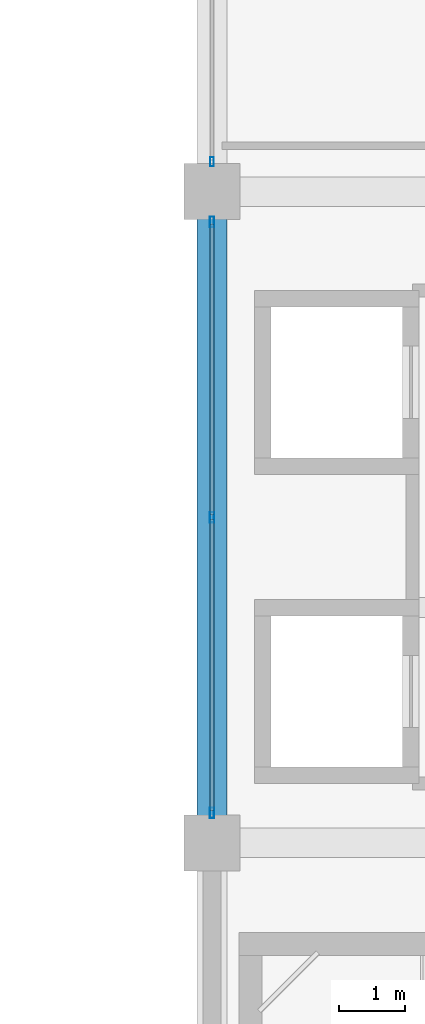
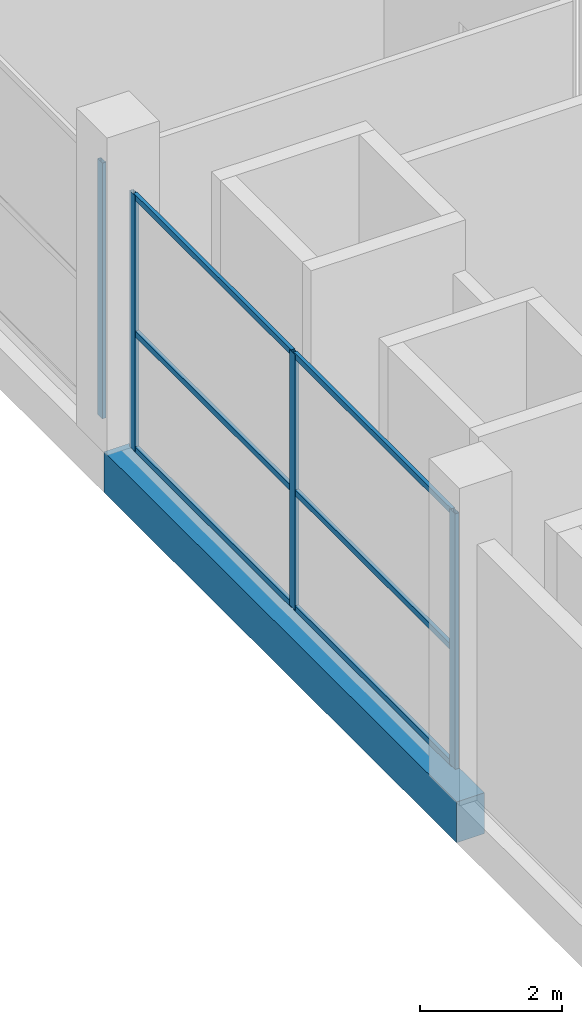
# One storey, part 4 of 72: 10 members, 1 beam, 2 elements without a shape of their own.
"""IFC4 building model written with IfcOpenShell, lengths in metres."""

from ifc_helpers import new_model, si_unit, direction, frame, origin, origin_2d, place, context, subcontext, project, spatial, rectangle, hollow_rectangle, extrude, material, layer, layer_set, material_profile, profile_set, type_object, element, aggregate, save


model = new_model("IFC4")

# Units and contexts
model_context = context("Model", 3, precision=1e-05, world=origin(), true_north=direction((0.0, 1.0)))
body_context = subcontext(model_context, "Body", "Model", "MODEL_VIEW")
ifc_project = project(units=[si_unit("LENGTHUNIT", "METRE"), si_unit("AREAUNIT", "SQUARE_METRE"), si_unit("VOLUMEUNIT", "CUBIC_METRE"), si_unit("PLANEANGLEUNIT", "RADIAN"), si_unit("MASSUNIT", "GRAM", prefix="KILO")], contexts=[model_context])

# Site, building, storey
site_placement = place(None, origin())
site = spatial("IfcSite", under=ifc_project, at=site_placement, CompositionType="ELEMENT")
building_placement = place(site_placement, origin())
building = spatial("IfcBuilding", under=site, at=building_placement, Name="Sillaruma Civic Art Gallery", CompositionType="ELEMENT")
storey_placement = place(building_placement, frame((0.0, 0.0, 10.8798828125)))
storey = spatial("IfcBuildingStorey", under=building, at=storey_placement, Name="L02", CompositionType="ELEMENT", Elevation=10.8798828125)

# Beam
ifc_material_1 = material(Name="Concrete H35 (35 MPa)", Category="concrete")
ifc_material_profile_1 = material_profile(ifc_material_1, rectangle(XDim=0.449951171875, YDim=0.699951171875, at=origin_2d()), Name="RCB450x700")
ifc_profile_set_1 = profile_set([ifc_material_profile_1], Name="Concrete H35 (35 MPa)")
beam_type = type_object("IfcBeamType", Name="BM-SPANDREL-RCB450x700", PredefinedType="SPANDREL", material=ifc_profile_set_1)
beam_placement = place(storey_placement, frame((62.0, 39.60009765625, -0.60986328125), z_axis=(0.0, 1.0, 0.0), x_axis=(-1.0, 0.0, 0.0)))
element("IfcBeam", 1, at=beam_placement, inside=storey, type_object=beam_type, Name="Beam BS-03 (L01:F:5-6)", PredefinedType="SPANDREL", context=body_context, shape_type="SweptSolid", body=[
    extrude(rectangle(XDim=0.449951171875, YDim=0.699951171875, at=origin_2d()), origin(), (0.0, 0.0, 1.0), 9.89990234375),
])

# Curtain wall, member
ifc_material_2 = material(Name="Thermally Broken Extruded Aluminium 6063-T6", Category="aluminium")
ifc_layer_1 = layer(ifc_material_2, 0.139892578125, Name="Thermally Broken Extruded Aluminium 6063-T6")
ifc_layer_set_1 = layer_set([ifc_layer_1], Name="Thermally Broken Extruded Aluminium 6063-T6")
curtain_wall_type_1 = type_object("IfcCurtainWallType", Name="CW-UNI-15", PredefinedType="NOTDEFINED", material=ifc_layer_set_1)
curtain_wall_1_placement = place(storey_placement, origin())
curtain_wall_1 = element("IfcCurtainWall", 2, at=curtain_wall_1_placement, inside=storey, type_object=curtain_wall_type_1, Name="Unitised Curtain Wall CW-15 (CW-L02-SPW-4)", PredefinedType="NOTDEFINED")
ifc_material_profile_2 = material_profile(ifc_material_2, hollow_rectangle(XDim=0.06005859375, YDim=0.139892578125, WallThickness=0.00341796875, at=origin_2d()), Name="CWM60x140")
ifc_profile_set_2 = profile_set([ifc_material_profile_2], Name="Thermally Broken Extruded Aluminium 6063-T6")
member_type_1 = type_object("IfcMemberType", Name="MEM-MUL-CWM60x140", PredefinedType="MULLION", material=ifc_profile_set_2)
member_1_placement = place(storey_placement, frame((62.0, 49.955078125, 0.0), z_axis=(0.0, 0.0, 1.0), x_axis=(-1.0, 0.0, 0.0)))
member_1 = element("IfcMember", 3, at=member_1_placement, type_object=member_type_1, Name="CW-15 mullion 1", PredefinedType="MULLION", context=body_context, shape_type="SweptSolid", body=[
    extrude(hollow_rectangle(XDim=0.06005859375, YDim=0.139892578125, WallThickness=0.00341796875, at=origin_2d()), origin(), (0.0, 0.0, 1.0), 4.380126953125),
])
aggregate(curtain_wall_1, [member_1])

# Curtain wall, members
ifc_layer_2 = layer(ifc_material_2, 0.159912109375, Name="Thermally Broken Extruded Aluminium 6063-T6")
ifc_layer_set_2 = layer_set([ifc_layer_2], Name="Thermally Broken Extruded Aluminium 6063-T6")
curtain_wall_type_2 = type_object("IfcCurtainWallType", Name="CW-UNI-14", PredefinedType="NOTDEFINED", material=ifc_layer_set_2)
curtain_wall_2_placement = place(storey_placement, origin())
curtain_wall_2 = element("IfcCurtainWall", 4, at=curtain_wall_2_placement, inside=storey, type_object=curtain_wall_type_2, Name="Unitised Curtain Wall CW-14 (CW-L02-SPW-3)", PredefinedType="NOTDEFINED")
ifc_material_profile_3 = material_profile(ifc_material_2, hollow_rectangle(XDim=0.06494140625, YDim=0.159912109375, WallThickness=0.00390625, at=origin_2d()), Name="CWM65x160")
ifc_profile_set_3 = profile_set([ifc_material_profile_3], Name="Thermally Broken Extruded Aluminium 6063-T6")
member_type_2 = type_object("IfcMemberType", Name="MEM-MUL-CWM65x160", PredefinedType="MULLION", material=ifc_profile_set_3)
member_2_placement = place(storey_placement, frame((62.0, 40.0576171875, 0.0), z_axis=(0.0, 0.0, 1.0), x_axis=(-1.0, 0.0, 0.0)))
member_2 = element("IfcMember", 5, at=member_2_placement, type_object=member_type_2, Name="CW-14 mullion 1", PredefinedType="MULLION", context=body_context, shape_type="SweptSolid", body=[
    extrude(hollow_rectangle(XDim=0.06494140625, YDim=0.159912109375, WallThickness=0.00390625, at=origin_2d()), origin(), (0.0, 0.0, 1.0), 4.380126953125),
])
member_3_placement = place(storey_placement, frame((62.0, 44.550048828125, 0.0), z_axis=(0.0, 0.0, 1.0), x_axis=(-1.0, 0.0, 0.0)))
member_3 = element("IfcMember", 6, at=member_3_placement, type_object=member_type_2, Name="CW-14 mullion 2", PredefinedType="MULLION", context=body_context, shape_type="SweptSolid", body=[
    extrude(hollow_rectangle(XDim=0.06494140625, YDim=0.159912109375, WallThickness=0.00390625, at=origin_2d()), origin(), (0.0, 0.0, 1.0), 4.380126953125),
])
member_4_placement = place(storey_placement, frame((62.0, 49.04248046875, 0.0), z_axis=(0.0, 0.0, 1.0), x_axis=(-1.0, 0.0, 0.0)))
member_4 = element("IfcMember", 7, at=member_4_placement, type_object=member_type_2, Name="CW-14 mullion 3", PredefinedType="MULLION", context=body_context, shape_type="SweptSolid", body=[
    extrude(hollow_rectangle(XDim=0.06494140625, YDim=0.159912109375, WallThickness=0.00390625, at=origin_2d()), origin(), (0.0, 0.0, 1.0), 4.380126953125),
])
ifc_material_profile_4 = material_profile(ifc_material_2, hollow_rectangle(XDim=0.06005859375, YDim=0.10009765625, WallThickness=0.003173828125, at=origin_2d()), Name="CWT60x100")
ifc_profile_set_4 = profile_set([ifc_material_profile_4], Name="Thermally Broken Extruded Aluminium 6063-T6")
member_type_3 = type_object("IfcMemberType", Name="MEM-TRN-CWT60x100", PredefinedType="USERDEFINED", material=ifc_profile_set_4)
member_5_placement = place(storey_placement, frame((62.0, 40.090087890625, 0.030029296875), z_axis=(0.0, 1.0, 0.0), x_axis=(-1.0, 0.0, 0.0)))
member_5 = element("IfcMember", 8, at=member_5_placement, type_object=member_type_3, Name="CW-14 transom 1.1", ObjectType="TRANSOM", PredefinedType="USERDEFINED", context=body_context, shape_type="SweptSolid", body=[
    extrude(hollow_rectangle(XDim=0.06005859375, YDim=0.10009765625, WallThickness=0.003173828125, at=origin_2d()), origin(), (0.0, 0.0, 1.0), 4.427490234375),
])
member_6_placement = place(storey_placement, frame((62.0, 40.090087890625, 2.014892578125), z_axis=(0.0, 1.0, 0.0), x_axis=(-1.0, 0.0, 0.0)))
member_6 = element("IfcMember", 9, at=member_6_placement, type_object=member_type_3, Name="CW-14 transom 1.2", ObjectType="TRANSOM", PredefinedType="USERDEFINED", context=body_context, shape_type="SweptSolid", body=[
    extrude(hollow_rectangle(XDim=0.06005859375, YDim=0.10009765625, WallThickness=0.003173828125, at=origin_2d()), origin(), (0.0, 0.0, 1.0), 4.427490234375),
])
member_7_placement = place(storey_placement, frame((62.0, 40.090087890625, 4.35009765625), z_axis=(0.0, 1.0, 0.0), x_axis=(-1.0, 0.0, 0.0)))
member_7 = element("IfcMember", 10, at=member_7_placement, type_object=member_type_3, Name="CW-14 transom 1.3", ObjectType="TRANSOM", PredefinedType="USERDEFINED", context=body_context, shape_type="SweptSolid", body=[
    extrude(hollow_rectangle(XDim=0.06005859375, YDim=0.10009765625, WallThickness=0.003173828125, at=origin_2d()), origin(), (0.0, 0.0, 1.0), 4.427490234375),
])
member_8_placement = place(storey_placement, frame((62.0, 44.58251953125, 0.030029296875), z_axis=(0.0, 1.0, 0.0), x_axis=(-1.0, 0.0, 0.0)))
member_8 = element("IfcMember", 11, at=member_8_placement, type_object=member_type_3, Name="CW-14 transom 2.1", ObjectType="TRANSOM", PredefinedType="USERDEFINED", context=body_context, shape_type="SweptSolid", body=[
    extrude(hollow_rectangle(XDim=0.06005859375, YDim=0.10009765625, WallThickness=0.003173828125, at=origin_2d()), origin(), (0.0, 0.0, 1.0), 4.427490234375),
])
member_9_placement = place(storey_placement, frame((62.0, 44.58251953125, 2.014892578125), z_axis=(0.0, 1.0, 0.0), x_axis=(-1.0, 0.0, 0.0)))
member_9 = element("IfcMember", 12, at=member_9_placement, type_object=member_type_3, Name="CW-14 transom 2.2", ObjectType="TRANSOM", PredefinedType="USERDEFINED", context=body_context, shape_type="SweptSolid", body=[
    extrude(hollow_rectangle(XDim=0.06005859375, YDim=0.10009765625, WallThickness=0.003173828125, at=origin_2d()), origin(), (0.0, 0.0, 1.0), 4.427490234375),
])
member_10_placement = place(storey_placement, frame((62.0, 44.58251953125, 4.35009765625), z_axis=(0.0, 1.0, 0.0), x_axis=(-1.0, 0.0, 0.0)))
member_10 = element("IfcMember", 13, at=member_10_placement, type_object=member_type_3, Name="CW-14 transom 2.3", ObjectType="TRANSOM", PredefinedType="USERDEFINED", context=body_context, shape_type="SweptSolid", body=[
    extrude(hollow_rectangle(XDim=0.06005859375, YDim=0.10009765625, WallThickness=0.003173828125, at=origin_2d()), origin(), (0.0, 0.0, 1.0), 4.427490234375),
])
aggregate(curtain_wall_2, [member_2, member_3, member_4, member_5, member_6, member_7, member_8, member_9, member_10])

save(model, "model.ifc")
